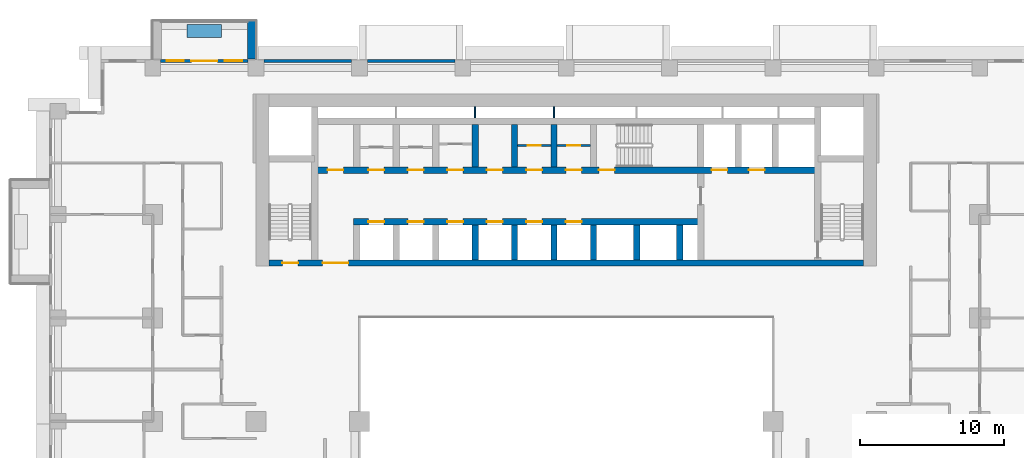
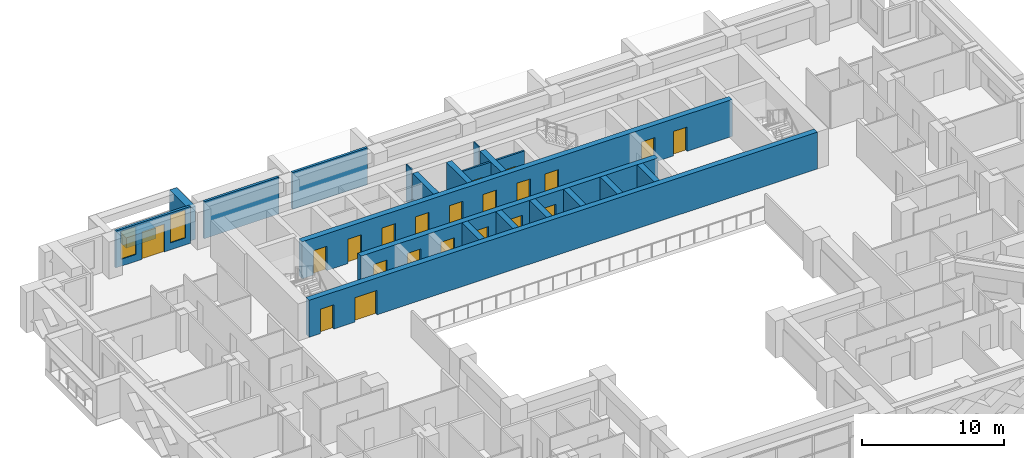
# One storey, part 10 of 17: 21 doors, 21 walls, 2 windows, 23 openings.
"""IFC4 building model written with IfcOpenShell, lengths in metres."""

from ifc_helpers import new_model, si_unit, direction, frame, frame_2d, origin, place, context, subcontext, project, spatial, rectangle, extrude, material, layer, layer_set, type_object, element, fill, save


model = new_model("IFC4")

# Units and contexts
model_context = context("Model", 3, precision=1e-05, world=origin(), true_north=direction((0.0, 1.0)))
body_context = subcontext(model_context, "Body", "Model", "MODEL_VIEW")
ifc_project = project(units=[si_unit("LENGTHUNIT", "METRE"), si_unit("AREAUNIT", "SQUARE_METRE"), si_unit("VOLUMEUNIT", "CUBIC_METRE"), si_unit("PLANEANGLEUNIT", "RADIAN"), si_unit("MASSUNIT", "GRAM", prefix="KILO")], contexts=[model_context])

# Site, building, storey
site_placement = place(None, origin())
site = spatial("IfcSite", under=ifc_project, at=site_placement, CompositionType="ELEMENT")
building_placement = place(site_placement, origin())
building = spatial("IfcBuilding", under=site, at=building_placement, Name="Saffron Iwan Residences", CompositionType="ELEMENT")
storey_placement = place(building_placement, frame((0.0, 0.0, 55.0)))
storey = spatial("IfcBuildingStorey", under=building, at=storey_placement, Name="L13", CompositionType="ELEMENT", Elevation=55.0)

# Walls
ifc_material_1 = material(Name="Concrete C50/60 white painted", Category="concrete")
ifc_layer_1 = layer(ifc_material_1, 0.60009765625)
ifc_layer_set_1 = layer_set([ifc_layer_1], Name="Concrete C50/60 white painted")
wall_type_1 = type_object("IfcWallType", Name="BALCONY FIN 600", PredefinedType="SOLIDWALL", material=ifc_layer_set_1)
wall_1_placement = place(storey_placement, frame((28.5, 80.449951171875, 0.0), z_axis=(0.0, 0.0, 1.0), x_axis=(0.0, 1.0, 0.0)))
element("IfcWall", 1, at=wall_1_placement, inside=storey, type_object=wall_type_1, Name="Balcony fin L13 F5-3a", PredefinedType="SOLIDWALL", context=body_context, shape_type="SweptSolid", body=[
    extrude(rectangle(XDim=2.650146484375, YDim=0.60009765625, at=frame_2d((1.3251953125, 0.0))), origin(), (0.0, 0.0, 1.0), 2.85009765625),
])
ifc_material_2 = material(Name="Concrete C35/45 white painted", Category="concrete")
ifc_layer_2 = layer(ifc_material_2, 0.14990234375)
ifc_layer_set_2 = layer_set([ifc_layer_2], Name="Concrete C35/45 white painted")
wall_type_2 = type_object("IfcWallType", Name="BALCONY PLANTER", PredefinedType="SOLIDWALL", material=ifc_layer_set_2)
wall_2_placement = place(storey_placement, frame((26.39990234375, 82.375, 0.0), z_axis=(0.0, 0.0, 1.0), x_axis=(-1.0, 0.0, 0.0)))
element("IfcWall", 2, at=wall_2_placement, inside=storey, type_object=wall_type_2, Name="PLANTER L13 F5-3", PredefinedType="SOLIDWALL", context=body_context, shape_type="SweptSolid", body=[
    extrude(rectangle(XDim=2.39990234375, YDim=0.89990234375, at=frame_2d((1.199951171875, 0.0))), origin(), (0.0, 0.0, 1.0), 0.89990234375),
])

# Wall, opening, door
ifc_material_3 = material(Name="Fire-rated plasterboard partition")
ifc_layer_3 = layer(ifc_material_3, 0.14990234375)
ifc_layer_set_3 = layer_set([ifc_layer_3], Name="Fire-rated plasterboard partition")
wall_type_3 = type_object("IfcWallType", Name="Core partition 150", PredefinedType="PARTITIONING", material=ifc_layer_set_3)
wall_3_placement = place(storey_placement, frame((47.02490234375, 74.39990234375, 0.0), z_axis=(0.0, 0.0, 1.0), x_axis=(1.0, 0.0, 0.0)))
wall_3 = element("IfcWall", 3, at=wall_3_placement, inside=storey, type_object=wall_type_3, Name="Core partition P04", PredefinedType="PARTITIONING", context=body_context, shape_type="SweptSolid", body=[
    extrude(rectangle(XDim=2.300048828125, YDim=0.14990234375, at=frame_2d((1.14990234375, 0.0))), origin(), (0.0, 0.0, 1.0), 3.179931640625),
])
opening_1_placement = place(wall_3_placement, frame((0.699951171875, 0.0, 0.0)))
opening_1 = element("IfcOpeningElement", 4, at=opening_1_placement, cuts=wall_3, Name="Opening SB", PredefinedType="OPENING", context=body_context, shape_type="SweptSolid", body=[
    extrude(rectangle(XDim=0.89990234375, YDim=2.10009765625, at=frame_2d((0.449951171875, 1.050048828125))), frame((0.0, 0.0849609375, 0.0), z_axis=(0.0, -1.0, 0.0), x_axis=(1.0, 0.0, 0.0)), (0.0, 0.0, 1.0), 0.169921875),
])
ifc_material_4 = material(Name="Steel fire door", Category="steel")
door_type_1 = type_object("IfcDoorType", Name="Store door 900", OperationType="NOTDEFINED", PredefinedType="DOOR", material=ifc_material_4)
door_1_placement = place(opening_1_placement, origin())
door_1 = element("IfcDoor", 5, at=door_1_placement, inside=storey, type_object=door_type_1, Name="Door Spares store", OperationType="SINGLE_SWING_LEFT", OverallHeight=2.10009765625, OverallWidth=0.89990234375, PredefinedType="DOOR", context=body_context, shape_type="SweptSolid", body=[
    extrude(rectangle(XDim=0.89990234375, YDim=2.10009765625, at=frame_2d((0.449951171875, 1.050048828125))), frame((0.0, 0.02490234375, 0.0), z_axis=(0.0, -1.0, 0.0), x_axis=(1.0, 0.0, 0.0)), (0.0, 0.0, 1.0), 0.050048828125),
])
fill(opening_1, door_1)

wall_4_placement = place(storey_placement, frame((49.77490234375, 74.39990234375, 0.0), z_axis=(0.0, 0.0, 1.0), x_axis=(1.0, 0.0, 0.0)))
wall_4 = element("IfcWall", 6, at=wall_4_placement, inside=storey, type_object=wall_type_3, Name="Core partition P05", PredefinedType="PARTITIONING", context=body_context, shape_type="SweptSolid", body=[
    extrude(rectangle(XDim=2.300048828125, YDim=0.14990234375, at=frame_2d((1.14990234375, 0.0))), origin(), (0.0, 0.0, 1.0), 3.179931640625),
])
opening_2_placement = place(wall_4_placement, frame((0.699951171875, 0.0, 0.0)))
opening_2 = element("IfcOpeningElement", 7, at=opening_2_placement, cuts=wall_4, Name="Opening SB", PredefinedType="OPENING", context=body_context, shape_type="SweptSolid", body=[
    extrude(rectangle(XDim=0.89990234375, YDim=2.10009765625, at=frame_2d((0.449951171875, 1.050048828125))), frame((0.0, 0.0849609375, 0.0), z_axis=(0.0, -1.0, 0.0), x_axis=(1.0, 0.0, 0.0)), (0.0, 0.0, 1.0), 0.169921875),
])
door_2_placement = place(opening_2_placement, origin())
door_2 = element("IfcDoor", 8, at=door_2_placement, inside=storey, type_object=door_type_1, Name="Door Battery room", OperationType="SINGLE_SWING_RIGHT", OverallHeight=2.10009765625, OverallWidth=0.89990234375, PredefinedType="DOOR", context=body_context, shape_type="SweptSolid", body=[
    extrude(rectangle(XDim=0.89990234375, YDim=2.10009765625, at=frame_2d((0.449951171875, 1.050048828125))), frame((0.0, 0.02490234375, 0.0), z_axis=(0.0, -1.0, 0.0), x_axis=(1.0, 0.0, 0.0)), (0.0, 0.0, 1.0), 0.050048828125),
])
fill(opening_2, door_2)

# Walls
ifc_material_5 = material(Name="Concrete C40/50", Category="concrete")
ifc_layer_4 = layer(ifc_material_5, 0.199951171875)
ifc_layer_set_4 = layer_set([ifc_layer_4], Name="Concrete C40/50")
wall_type_4 = type_object("IfcWallType", Name="EXTERNAL WALL 200", PredefinedType="SOLIDWALL", material=ifc_layer_set_4)
for number, where, z_axis, x_axis, name in (
    (9, (42.64990234375, 80.300048828125, 0.0), (0.0, 0.0, 1.0), (-1.0, 0.0, 0.0), "External wall L13 F5.6"),
    (10, (35.449951171875, 80.300048828125, 0.0), (0.0, 0.0, 1.0), (-1.0, 0.0, 0.0), "External wall L13 F5.7"),
):
    element("IfcWall", number, at=place(storey_placement, frame(where, z_axis=z_axis, x_axis=x_axis)), inside=storey, type_object=wall_type_4, Name=name, PredefinedType="SOLIDWALL", context=body_context, shape_type="SweptSolid", body=[
        extrude(rectangle(XDim=6.099853515625, YDim=0.199951171875, at=frame_2d((3.0498046875, 0.0))), origin(), (0.0, 0.0, 1.0), 3.179931640625),
    ])

# Wall, openings, door, windows
wall_5_placement = place(storey_placement, frame((28.25, 80.300048828125, 0.0), z_axis=(0.0, 0.0, 1.0), x_axis=(-1.0, 0.0, 0.0)))
wall_5 = element("IfcWall", 11, at=wall_5_placement, inside=storey, type_object=wall_type_4, Name="External wall L13 F5.8", PredefinedType="SOLIDWALL", context=body_context, shape_type="SweptSolid", body=[
    extrude(rectangle(XDim=6.10009765625, YDim=0.199951171875, at=frame_2d((3.050048828125, 0.0))), origin(), (0.0, 0.0, 1.0), 3.179931640625),
])
opening_3_placement = place(wall_5_placement, frame((2.14990234375, 0.0, 0.0)))
opening_3 = element("IfcOpeningElement", 12, at=opening_3_placement, cuts=wall_5, Name="Opening BD1", PredefinedType="OPENING", context=body_context, shape_type="SweptSolid", body=[
    extrude(rectangle(XDim=1.800048828125, YDim=2.39990234375, at=frame_2d((0.89990234375, 1.199951171875))), frame((0.0, 0.10986328125, 0.0), z_axis=(0.0, -1.0, 0.0), x_axis=(1.0, 0.0, 0.0)), (0.0, 0.0, 1.0), 0.219970703125),
])
opening_4_placement = place(wall_5_placement, frame((0.425048828125, 0.0, 0.60009765625)))
opening_4 = element("IfcOpeningElement", 13, at=opening_4_placement, cuts=wall_5, Name="Opening W3", PredefinedType="OPENING", context=body_context, shape_type="SweptSolid", body=[
    extrude(rectangle(XDim=1.199951171875, YDim=2.39990234375, at=frame_2d((0.60009765625, 1.199951171875))), frame((0.0, 0.10986328125, 0.0), z_axis=(0.0, -1.0, 0.0), x_axis=(1.0, 0.0, 0.0)), (0.0, 0.0, 1.0), 0.219970703125),
])
opening_5_placement = place(wall_5_placement, frame((4.47509765625, 0.0, 0.60009765625)))
opening_5 = element("IfcOpeningElement", 14, at=opening_5_placement, cuts=wall_5, Name="Opening W3", PredefinedType="OPENING", context=body_context, shape_type="SweptSolid", body=[
    extrude(rectangle(XDim=1.199951171875, YDim=2.39990234375, at=frame_2d((0.60009765625, 1.199951171875))), frame((0.0, 0.10986328125, 0.0), z_axis=(0.0, -1.0, 0.0), x_axis=(1.0, 0.0, 0.0)), (0.0, 0.0, 1.0), 0.219970703125),
])
ifc_material_6 = material(Name="Clear glass, laminated double glazed", Category="glass")
door_type_2 = type_object("IfcDoorType", Name="BALCONY DOOR 1800 x 2400", OperationType="DOUBLE_DOOR_SLIDING", PredefinedType="DOOR", material=ifc_material_6)
door_3_placement = place(opening_3_placement, origin())
door_3 = element("IfcDoor", 15, at=door_3_placement, inside=storey, type_object=door_type_2, Name="Balcony door L13 F5.0", OperationType="DOUBLE_DOOR_SLIDING", OverallHeight=2.39990234375, OverallWidth=1.800048828125, PredefinedType="DOOR", context=body_context, shape_type="SweptSolid", body=[
    extrude(rectangle(XDim=1.800048828125, YDim=2.39990234375, at=frame_2d((0.89990234375, 1.199951171875))), frame((0.0, 0.02490234375, 0.0), z_axis=(0.0, -1.0, 0.0), x_axis=(1.0, 0.0, 0.0)), (0.0, 0.0, 1.0), 0.050048828125),
])
fill(opening_3, door_3)
window_type = type_object("IfcWindowType", Name="WINDOW 1200 x 2400", PartitioningType="SINGLE_PANEL", PredefinedType="WINDOW", material=ifc_material_6)
window_1_placement = place(opening_4_placement, origin())
window_1 = element("IfcWindow", 16, at=window_1_placement, inside=storey, type_object=window_type, Name="Window L13 F5.1", OverallHeight=2.39990234375, OverallWidth=1.199951171875, PartitioningType="SINGLE_PANEL", PredefinedType="WINDOW", context=body_context, shape_type="SweptSolid", body=[
    extrude(rectangle(XDim=1.199951171875, YDim=2.39990234375, at=frame_2d((0.60009765625, 1.199951171875))), frame((0.0, 0.030029296875, 0.0), z_axis=(0.0, -1.0, 0.0), x_axis=(1.0, 0.0, 0.0)), (0.0, 0.0, 1.0), 0.06005859375),
])
fill(opening_4, window_1)
window_2_placement = place(opening_5_placement, origin())
window_2 = element("IfcWindow", 17, at=window_2_placement, inside=storey, type_object=window_type, Name="Window L13 F5.2", OverallHeight=2.39990234375, OverallWidth=1.199951171875, PartitioningType="SINGLE_PANEL", PredefinedType="WINDOW", context=body_context, shape_type="SweptSolid", body=[
    extrude(rectangle(XDim=1.199951171875, YDim=2.39990234375, at=frame_2d((0.60009765625, 1.199951171875))), frame((0.0, 0.030029296875, 0.0), z_axis=(0.0, -1.0, 0.0), x_axis=(1.0, 0.0, 0.0)), (0.0, 0.0, 1.0), 0.06005859375),
])
fill(opening_5, window_2)

# Walls
ifc_layer_5 = layer(ifc_material_3, 0.10009765625)
ifc_layer_set_5 = layer_set([ifc_layer_5], Name="Fire-rated plasterboard partition")
wall_type_5 = type_object("IfcWallType", Name="Riser partition 100", PredefinedType="PARTITIONING", material=ifc_layer_set_5)
for number, where, z_axis, x_axis, name in (
    (18, (44.050048828125, 76.324951171875, 0.0), (0.0, 0.0, 1.0), (0.0, 1.0, 0.0), "Core partition P07"),
    (19, (49.550048828125, 76.324951171875, 0.0), (0.0, 0.0, 1.0), (0.0, 1.0, 0.0), "Core partition P08"),
):
    element("IfcWall", number, at=place(storey_placement, frame(where, z_axis=z_axis, x_axis=x_axis)), inside=storey, type_object=wall_type_5, Name=name, PredefinedType="PARTITIONING", context=body_context, shape_type="SweptSolid", body=[
        extrude(rectangle(XDim=0.775146484375, YDim=0.10009765625, at=frame_2d((0.3876953125, 0.0))), origin(), (0.0, 0.0, 1.0), 3.179931640625),
    ])

# Wall, openings, doors
ifc_material_7 = material(Name="Concrete C60/75", Category="concrete")
ifc_layer_6 = layer(ifc_material_7, 0.449951171875)
ifc_layer_set_6 = layer_set([ifc_layer_6], Name="Concrete C60/75")
wall_type_6 = type_object("IfcWallType", Name="WALL CORE 450 C60/75 3180 HIGH", PredefinedType="SHEAR", material=ifc_layer_set_6)
wall_6_placement = place(storey_placement, frame((29.699951171875, 66.22509765625, 0.0), z_axis=(0.0, 0.0, 1.0), x_axis=(1.0, 0.0, 0.0)))
wall_6 = element("IfcWall", 20, at=wall_6_placement, inside=storey, type_object=wall_type_6, Name="Core wall", PredefinedType="SHEAR", context=body_context, shape_type="SweptSolid", body=[
    extrude(rectangle(XDim=41.400146484375, YDim=0.449951171875, at=frame_2d((20.7001953125, 0.0))), origin(), (0.0, 0.0, 1.0), 3.179931640625),
])
opening_6_placement = place(wall_6_placement, frame((0.925048828125, 0.0, 0.0)))
opening_6 = element("IfcOpeningElement", 21, at=opening_6_placement, cuts=wall_6, Name="Opening SD", PredefinedType="OPENING", context=body_context, shape_type="SweptSolid", body=[
    extrude(rectangle(XDim=1.10009765625, YDim=2.10009765625, at=frame_2d((0.550048828125, 1.050048828125))), frame((0.0, 0.23486328125, 0.0), z_axis=(0.0, -1.0, 0.0), x_axis=(1.0, 0.0, 0.0)), (0.0, 0.0, 1.0), 0.469970703125),
])
opening_7_placement = place(wall_6_placement, frame((3.737548828125, 0.0, 0.0)))
opening_7 = element("IfcOpeningElement", 22, at=opening_7_placement, cuts=wall_6, Name="Opening DD", PredefinedType="OPENING", context=body_context, shape_type="SweptSolid", body=[
    extrude(rectangle(XDim=1.800048828125, YDim=2.10009765625, at=frame_2d((0.89990234375, 1.050048828125))), frame((0.0, 0.23486328125, 0.0), z_axis=(0.0, -1.0, 0.0), x_axis=(1.0, 0.0, 0.0)), (0.0, 0.0, 1.0), 0.469970703125),
])
door_type_3 = type_object("IfcDoorType", Name="Lobby double door 1800", OperationType="DOUBLE_DOOR_SINGLE_SWING", PredefinedType="DOOR", material=ifc_material_4)
door_4_placement = place(opening_7_placement, origin())
door_4 = element("IfcDoor", 23, at=door_4_placement, inside=storey, type_object=door_type_3, Name="Lobby doors", OperationType="DOUBLE_DOOR_SINGLE_SWING", OverallHeight=2.10009765625, OverallWidth=1.800048828125, PredefinedType="DOOR", context=body_context, shape_type="SweptSolid", body=[
    extrude(rectangle(XDim=1.800048828125, YDim=2.10009765625, at=frame_2d((0.89990234375, 1.050048828125))), frame((0.0, 0.02490234375, 0.0), z_axis=(0.0, -1.0, 0.0), x_axis=(1.0, 0.0, 0.0)), (0.0, 0.0, 1.0), 0.050048828125),
])
fill(opening_7, door_4)
door_type_4 = type_object("IfcDoorType", Name="Stair door 1100", OperationType="NOTDEFINED", PredefinedType="DOOR", material=ifc_material_4)
door_5_placement = place(opening_6_placement, origin())
door_5 = element("IfcDoor", 24, at=door_5_placement, inside=storey, type_object=door_type_4, Name="Stair door ST-W", OperationType="SINGLE_SWING_LEFT", OverallHeight=2.10009765625, OverallWidth=1.10009765625, PredefinedType="DOOR", context=body_context, shape_type="SweptSolid", body=[
    extrude(rectangle(XDim=1.10009765625, YDim=2.10009765625, at=frame_2d((0.550048828125, 1.050048828125))), frame((0.0, 0.02490234375, 0.0), z_axis=(0.0, -1.0, 0.0), x_axis=(1.0, 0.0, 0.0)), (0.0, 0.0, 1.0), 0.050048828125),
])
fill(opening_6, door_5)

wall_7_placement = place(storey_placement, frame((35.574951171875, 69.10009765625, 0.0), z_axis=(0.0, 0.0, 1.0), x_axis=(1.0, 0.0, 0.0)))
wall_7 = element("IfcWall", 25, at=wall_7_placement, inside=storey, type_object=wall_type_6, Name="Core wall", PredefinedType="SHEAR", context=body_context, shape_type="SweptSolid", body=[
    extrude(rectangle(XDim=24.199951171875, YDim=0.449951171875, at=frame_2d((12.10009765625, 0.0))), origin(), (0.0, 0.0, 1.0), 3.179931640625),
])
opening_8_placement = place(wall_7_placement, frame((1.050048828125, 0.0, 0.0)))
opening_8 = element("IfcOpeningElement", 26, at=opening_8_placement, cuts=wall_7, Name="Opening LD", PredefinedType="OPENING", context=body_context, shape_type="SweptSolid", body=[
    extrude(rectangle(XDim=1.10009765625, YDim=2.10009765625, at=frame_2d((0.550048828125, 1.050048828125))), frame((0.0, 0.23486328125, 0.0), z_axis=(0.0, -1.0, 0.0), x_axis=(1.0, 0.0, 0.0)), (0.0, 0.0, 1.0), 0.469970703125),
])
opening_9_placement = place(wall_7_placement, frame((3.800048828125, 0.0, 0.0)))
opening_9 = element("IfcOpeningElement", 27, at=opening_9_placement, cuts=wall_7, Name="Opening LD", PredefinedType="OPENING", context=body_context, shape_type="SweptSolid", body=[
    extrude(rectangle(XDim=1.10009765625, YDim=2.10009765625, at=frame_2d((0.550048828125, 1.050048828125))), frame((0.0, 0.23486328125, 0.0), z_axis=(0.0, -1.0, 0.0), x_axis=(1.0, 0.0, 0.0)), (0.0, 0.0, 1.0), 0.469970703125),
])
opening_10_placement = place(wall_7_placement, frame((6.550048828125, 0.0, 0.0)))
opening_10 = element("IfcOpeningElement", 28, at=opening_10_placement, cuts=wall_7, Name="Opening LD", PredefinedType="OPENING", context=body_context, shape_type="SweptSolid", body=[
    extrude(rectangle(XDim=1.10009765625, YDim=2.10009765625, at=frame_2d((0.550048828125, 1.050048828125))), frame((0.0, 0.23486328125, 0.0), z_axis=(0.0, -1.0, 0.0), x_axis=(1.0, 0.0, 0.0)), (0.0, 0.0, 1.0), 0.469970703125),
])
opening_11_placement = place(wall_7_placement, frame((9.300048828125, 0.0, 0.0)))
opening_11 = element("IfcOpeningElement", 29, at=opening_11_placement, cuts=wall_7, Name="Opening LD", PredefinedType="OPENING", context=body_context, shape_type="SweptSolid", body=[
    extrude(rectangle(XDim=1.10009765625, YDim=2.10009765625, at=frame_2d((0.550048828125, 1.050048828125))), frame((0.0, 0.23486328125, 0.0), z_axis=(0.0, -1.0, 0.0), x_axis=(1.0, 0.0, 0.0)), (0.0, 0.0, 1.0), 0.469970703125),
])
opening_12_placement = place(wall_7_placement, frame((12.050048828125, 0.0, 0.0)))
opening_12 = element("IfcOpeningElement", 30, at=opening_12_placement, cuts=wall_7, Name="Opening LD", PredefinedType="OPENING", context=body_context, shape_type="SweptSolid", body=[
    extrude(rectangle(XDim=1.10009765625, YDim=2.10009765625, at=frame_2d((0.550048828125, 1.050048828125))), frame((0.0, 0.23486328125, 0.0), z_axis=(0.0, -1.0, 0.0), x_axis=(1.0, 0.0, 0.0)), (0.0, 0.0, 1.0), 0.469970703125),
])
opening_13_placement = place(wall_7_placement, frame((14.800048828125, 0.0, 0.0)))
opening_13 = element("IfcOpeningElement", 31, at=opening_13_placement, cuts=wall_7, Name="Opening LD", PredefinedType="OPENING", context=body_context, shape_type="SweptSolid", body=[
    extrude(rectangle(XDim=1.10009765625, YDim=2.10009765625, at=frame_2d((0.550048828125, 1.050048828125))), frame((0.0, 0.23486328125, 0.0), z_axis=(0.0, -1.0, 0.0), x_axis=(1.0, 0.0, 0.0)), (0.0, 0.0, 1.0), 0.469970703125),
])
door_type_5 = type_object("IfcDoorType", Name="Lift landing door 1100", OperationType="SLIDING_TO_LEFT", PredefinedType="DOOR", material=ifc_material_4)
door_6_placement = place(opening_8_placement, origin())
door_6 = element("IfcDoor", 32, at=door_6_placement, inside=storey, type_object=door_type_5, Name="Landing doors LR1", OperationType="SLIDING_TO_LEFT", OverallHeight=2.10009765625, OverallWidth=1.10009765625, PredefinedType="DOOR", context=body_context, shape_type="SweptSolid", body=[
    extrude(rectangle(XDim=1.10009765625, YDim=2.10009765625, at=frame_2d((0.550048828125, 1.050048828125))), frame((0.0, 0.02490234375, 0.0), z_axis=(0.0, -1.0, 0.0), x_axis=(1.0, 0.0, 0.0)), (0.0, 0.0, 1.0), 0.050048828125),
])
fill(opening_8, door_6)
door_7_placement = place(opening_9_placement, origin())
door_7 = element("IfcDoor", 33, at=door_7_placement, inside=storey, type_object=door_type_5, Name="Landing doors LR2", OperationType="SLIDING_TO_LEFT", OverallHeight=2.10009765625, OverallWidth=1.10009765625, PredefinedType="DOOR", context=body_context, shape_type="SweptSolid", body=[
    extrude(rectangle(XDim=1.10009765625, YDim=2.10009765625, at=frame_2d((0.550048828125, 1.050048828125))), frame((0.0, 0.02490234375, 0.0), z_axis=(0.0, -1.0, 0.0), x_axis=(1.0, 0.0, 0.0)), (0.0, 0.0, 1.0), 0.050048828125),
])
fill(opening_9, door_7)
door_8_placement = place(opening_10_placement, origin())
door_8 = element("IfcDoor", 34, at=door_8_placement, inside=storey, type_object=door_type_5, Name="Landing doors LR3", OperationType="SLIDING_TO_LEFT", OverallHeight=2.10009765625, OverallWidth=1.10009765625, PredefinedType="DOOR", context=body_context, shape_type="SweptSolid", body=[
    extrude(rectangle(XDim=1.10009765625, YDim=2.10009765625, at=frame_2d((0.550048828125, 1.050048828125))), frame((0.0, 0.02490234375, 0.0), z_axis=(0.0, -1.0, 0.0), x_axis=(1.0, 0.0, 0.0)), (0.0, 0.0, 1.0), 0.050048828125),
])
fill(opening_10, door_8)
door_9_placement = place(opening_11_placement, origin())
door_9 = element("IfcDoor", 35, at=door_9_placement, inside=storey, type_object=door_type_5, Name="Landing doors LR4", OperationType="SLIDING_TO_LEFT", OverallHeight=2.10009765625, OverallWidth=1.10009765625, PredefinedType="DOOR", context=body_context, shape_type="SweptSolid", body=[
    extrude(rectangle(XDim=1.10009765625, YDim=2.10009765625, at=frame_2d((0.550048828125, 1.050048828125))), frame((0.0, 0.02490234375, 0.0), z_axis=(0.0, -1.0, 0.0), x_axis=(1.0, 0.0, 0.0)), (0.0, 0.0, 1.0), 0.050048828125),
])
fill(opening_11, door_9)
door_10_placement = place(opening_12_placement, origin())
door_10 = element("IfcDoor", 36, at=door_10_placement, inside=storey, type_object=door_type_5, Name="Landing doors LR5", OperationType="SLIDING_TO_LEFT", OverallHeight=2.10009765625, OverallWidth=1.10009765625, PredefinedType="DOOR", context=body_context, shape_type="SweptSolid", body=[
    extrude(rectangle(XDim=1.10009765625, YDim=2.10009765625, at=frame_2d((0.550048828125, 1.050048828125))), frame((0.0, 0.02490234375, 0.0), z_axis=(0.0, -1.0, 0.0), x_axis=(1.0, 0.0, 0.0)), (0.0, 0.0, 1.0), 0.050048828125),
])
fill(opening_12, door_10)
door_11_placement = place(opening_13_placement, origin())
door_11 = element("IfcDoor", 37, at=door_11_placement, inside=storey, type_object=door_type_5, Name="Landing doors LR6", OperationType="SLIDING_TO_LEFT", OverallHeight=2.10009765625, OverallWidth=1.10009765625, PredefinedType="DOOR", context=body_context, shape_type="SweptSolid", body=[
    extrude(rectangle(XDim=1.10009765625, YDim=2.10009765625, at=frame_2d((0.550048828125, 1.050048828125))), frame((0.0, 0.02490234375, 0.0), z_axis=(0.0, -1.0, 0.0), x_axis=(1.0, 0.0, 0.0)), (0.0, 0.0, 1.0), 0.050048828125),
])
fill(opening_13, door_11)

wall_8_placement = place(storey_placement, frame((32.875, 72.699951171875, 0.0), z_axis=(0.0, 0.0, 1.0), x_axis=(1.0, 0.0, 0.0)))
wall_8 = element("IfcWall", 38, at=wall_8_placement, inside=storey, type_object=wall_type_6, Name="Core wall", PredefinedType="SHEAR", context=body_context, shape_type="SweptSolid", body=[
    extrude(rectangle(XDim=35.050048828125, YDim=0.449951171875, at=frame_2d((17.52490234375, 0.0))), origin(), (0.0, 0.0, 1.0), 3.179931640625),
])
opening_14_placement = place(wall_8_placement, frame((19.800048828125, 0.0, 0.0)))
opening_14 = element("IfcOpeningElement", 39, at=opening_14_placement, cuts=wall_8, Name="Opening SD", PredefinedType="OPENING", context=body_context, shape_type="SweptSolid", body=[
    extrude(rectangle(XDim=1.10009765625, YDim=2.10009765625, at=frame_2d((0.550048828125, 1.050048828125))), frame((0.0, 0.23486328125, 0.0), z_axis=(0.0, -1.0, 0.0), x_axis=(1.0, 0.0, 0.0)), (0.0, 0.0, 1.0), 0.469970703125),
])
opening_15_placement = place(wall_8_placement, frame((27.64990234375, 0.0, 0.0)))
opening_15 = element("IfcOpeningElement", 40, at=opening_15_placement, cuts=wall_8, Name="Opening LD", PredefinedType="OPENING", context=body_context, shape_type="SweptSolid", body=[
    extrude(rectangle(XDim=1.10009765625, YDim=2.10009765625, at=frame_2d((0.550048828125, 1.050048828125))), frame((0.0, 0.23486328125, 0.0), z_axis=(0.0, -1.0, 0.0), x_axis=(1.0, 0.0, 0.0)), (0.0, 0.0, 1.0), 0.469970703125),
])
opening_16_placement = place(wall_8_placement, frame((30.25, 0.0, 0.0)))
opening_16 = element("IfcOpeningElement", 41, at=opening_16_placement, cuts=wall_8, Name="Opening LD", PredefinedType="OPENING", context=body_context, shape_type="SweptSolid", body=[
    extrude(rectangle(XDim=1.10009765625, YDim=2.10009765625, at=frame_2d((0.550048828125, 1.050048828125))), frame((0.0, 0.23486328125, 0.0), z_axis=(0.0, -1.0, 0.0), x_axis=(1.0, 0.0, 0.0)), (0.0, 0.0, 1.0), 0.469970703125),
])
opening_17_placement = place(wall_8_placement, frame((3.75, 0.0, 0.0)))
opening_17 = element("IfcOpeningElement", 42, at=opening_17_placement, cuts=wall_8, Name="Opening SR", PredefinedType="OPENING", context=body_context, shape_type="SweptSolid", body=[
    extrude(rectangle(XDim=1.10009765625, YDim=2.10009765625, at=frame_2d((0.550048828125, 1.050048828125))), frame((0.0, 0.23486328125, 0.0), z_axis=(0.0, -1.0, 0.0), x_axis=(1.0, 0.0, 0.0)), (0.0, 0.0, 1.0), 0.469970703125),
])
opening_18_placement = place(wall_8_placement, frame((6.5, 0.0, 0.0)))
opening_18 = element("IfcOpeningElement", 43, at=opening_18_placement, cuts=wall_8, Name="Opening SR", PredefinedType="OPENING", context=body_context, shape_type="SweptSolid", body=[
    extrude(rectangle(XDim=1.10009765625, YDim=2.10009765625, at=frame_2d((0.550048828125, 1.050048828125))), frame((0.0, 0.23486328125, 0.0), z_axis=(0.0, -1.0, 0.0), x_axis=(1.0, 0.0, 0.0)), (0.0, 0.0, 1.0), 0.469970703125),
])
opening_19_placement = place(wall_8_placement, frame((9.25, 0.0, 0.0)))
opening_19 = element("IfcOpeningElement", 44, at=opening_19_placement, cuts=wall_8, Name="Opening SR", PredefinedType="OPENING", context=body_context, shape_type="SweptSolid", body=[
    extrude(rectangle(XDim=1.10009765625, YDim=2.10009765625, at=frame_2d((0.550048828125, 1.050048828125))), frame((0.0, 0.23486328125, 0.0), z_axis=(0.0, -1.0, 0.0), x_axis=(1.0, 0.0, 0.0)), (0.0, 0.0, 1.0), 0.469970703125),
])
opening_20_placement = place(wall_8_placement, frame((12.0, 0.0, 0.0)))
opening_20 = element("IfcOpeningElement", 45, at=opening_20_placement, cuts=wall_8, Name="Opening SR", PredefinedType="OPENING", context=body_context, shape_type="SweptSolid", body=[
    extrude(rectangle(XDim=1.10009765625, YDim=2.10009765625, at=frame_2d((0.550048828125, 1.050048828125))), frame((0.0, 0.23486328125, 0.0), z_axis=(0.0, -1.0, 0.0), x_axis=(1.0, 0.0, 0.0)), (0.0, 0.0, 1.0), 0.469970703125),
])
opening_21_placement = place(wall_8_placement, frame((14.75, 0.0, 0.0)))
opening_21 = element("IfcOpeningElement", 46, at=opening_21_placement, cuts=wall_8, Name="Opening SR", PredefinedType="OPENING", context=body_context, shape_type="SweptSolid", body=[
    extrude(rectangle(XDim=1.10009765625, YDim=2.10009765625, at=frame_2d((0.550048828125, 1.050048828125))), frame((0.0, 0.23486328125, 0.0), z_axis=(0.0, -1.0, 0.0), x_axis=(1.0, 0.0, 0.0)), (0.0, 0.0, 1.0), 0.469970703125),
])
opening_22_placement = place(wall_8_placement, frame((17.5, 0.0, 0.0)))
opening_22 = element("IfcOpeningElement", 47, at=opening_22_placement, cuts=wall_8, Name="Opening SR", PredefinedType="OPENING", context=body_context, shape_type="SweptSolid", body=[
    extrude(rectangle(XDim=1.10009765625, YDim=2.10009765625, at=frame_2d((0.550048828125, 1.050048828125))), frame((0.0, 0.23486328125, 0.0), z_axis=(0.0, -1.0, 0.0), x_axis=(1.0, 0.0, 0.0)), (0.0, 0.0, 1.0), 0.469970703125),
])
opening_23_placement = place(wall_8_placement, frame((0.91259765625, 0.0, 0.0)))
opening_23 = element("IfcOpeningElement", 48, at=opening_23_placement, cuts=wall_8, Name="Opening SR", PredefinedType="OPENING", context=body_context, shape_type="SweptSolid", body=[
    extrude(rectangle(XDim=1.10009765625, YDim=2.10009765625, at=frame_2d((0.550048828125, 1.050048828125))), frame((0.0, 0.23486328125, 0.0), z_axis=(0.0, -1.0, 0.0), x_axis=(1.0, 0.0, 0.0)), (0.0, 0.0, 1.0), 0.469970703125),
])
door_12_placement = place(opening_15_placement, origin())
door_12 = element("IfcDoor", 49, at=door_12_placement, inside=storey, type_object=door_type_5, Name="Landing doors FF1", OperationType="SLIDING_TO_LEFT", OverallHeight=2.10009765625, OverallWidth=1.10009765625, PredefinedType="DOOR", context=body_context, shape_type="SweptSolid", body=[
    extrude(rectangle(XDim=1.10009765625, YDim=2.10009765625, at=frame_2d((0.550048828125, 1.050048828125))), frame((0.0, 0.02490234375, 0.0), z_axis=(0.0, -1.0, 0.0), x_axis=(1.0, 0.0, 0.0)), (0.0, 0.0, 1.0), 0.050048828125),
])
fill(opening_15, door_12)
door_13_placement = place(opening_16_placement, origin())
door_13 = element("IfcDoor", 50, at=door_13_placement, inside=storey, type_object=door_type_5, Name="Landing doors FF2", OperationType="SLIDING_TO_LEFT", OverallHeight=2.10009765625, OverallWidth=1.10009765625, PredefinedType="DOOR", context=body_context, shape_type="SweptSolid", body=[
    extrude(rectangle(XDim=1.10009765625, YDim=2.10009765625, at=frame_2d((0.550048828125, 1.050048828125))), frame((0.0, 0.02490234375, 0.0), z_axis=(0.0, -1.0, 0.0), x_axis=(1.0, 0.0, 0.0)), (0.0, 0.0, 1.0), 0.050048828125),
])
fill(opening_16, door_13)
door_type_6 = type_object("IfcDoorType", Name="Service door 1100", OperationType="NOTDEFINED", PredefinedType="DOOR", material=ifc_material_4)
door_14_placement = place(opening_17_placement, origin())
door_14 = element("IfcDoor", 51, at=door_14_placement, inside=storey, type_object=door_type_6, Name="Door Maintenance store", OperationType="SINGLE_SWING_LEFT", OverallHeight=2.10009765625, OverallWidth=1.10009765625, PredefinedType="DOOR", context=body_context, shape_type="SweptSolid", body=[
    extrude(rectangle(XDim=1.10009765625, YDim=2.10009765625, at=frame_2d((0.550048828125, 1.050048828125))), frame((0.0, 0.02490234375, 0.0), z_axis=(0.0, -1.0, 0.0), x_axis=(1.0, 0.0, 0.0)), (0.0, 0.0, 1.0), 0.050048828125),
])
fill(opening_17, door_14)
door_15_placement = place(opening_18_placement, origin())
door_15 = element("IfcDoor", 52, at=door_15_placement, inside=storey, type_object=door_type_6, Name="Door Linen store", OperationType="SINGLE_SWING_LEFT", OverallHeight=2.10009765625, OverallWidth=1.10009765625, PredefinedType="DOOR", context=body_context, shape_type="SweptSolid", body=[
    extrude(rectangle(XDim=1.10009765625, YDim=2.10009765625, at=frame_2d((0.550048828125, 1.050048828125))), frame((0.0, 0.02490234375, 0.0), z_axis=(0.0, -1.0, 0.0), x_axis=(1.0, 0.0, 0.0)), (0.0, 0.0, 1.0), 0.050048828125),
])
fill(opening_18, door_15)
door_16_placement = place(opening_19_placement, origin())
door_16 = element("IfcDoor", 53, at=door_16_placement, inside=storey, type_object=door_type_6, Name="Door Pantry", OperationType="SINGLE_SWING_LEFT", OverallHeight=2.10009765625, OverallWidth=1.10009765625, PredefinedType="DOOR", context=body_context, shape_type="SweptSolid", body=[
    extrude(rectangle(XDim=1.10009765625, YDim=2.10009765625, at=frame_2d((0.550048828125, 1.050048828125))), frame((0.0, 0.02490234375, 0.0), z_axis=(0.0, -1.0, 0.0), x_axis=(1.0, 0.0, 0.0)), (0.0, 0.0, 1.0), 0.050048828125),
])
fill(opening_19, door_16)
door_17_placement = place(opening_20_placement, origin())
door_17 = element("IfcDoor", 54, at=door_17_placement, inside=storey, type_object=door_type_6, Name="Door Electrical room", OperationType="SINGLE_SWING_LEFT", OverallHeight=2.10009765625, OverallWidth=1.10009765625, PredefinedType="DOOR", context=body_context, shape_type="SweptSolid", body=[
    extrude(rectangle(XDim=1.10009765625, YDim=2.10009765625, at=frame_2d((0.550048828125, 1.050048828125))), frame((0.0, 0.02490234375, 0.0), z_axis=(0.0, -1.0, 0.0), x_axis=(1.0, 0.0, 0.0)), (0.0, 0.0, 1.0), 0.050048828125),
])
fill(opening_20, door_17)
door_18_placement = place(opening_21_placement, origin())
door_18 = element("IfcDoor", 55, at=door_18_placement, inside=storey, type_object=door_type_6, Name="Door Luggage store", OperationType="SINGLE_SWING_LEFT", OverallHeight=2.10009765625, OverallWidth=1.10009765625, PredefinedType="DOOR", context=body_context, shape_type="SweptSolid", body=[
    extrude(rectangle(XDim=1.10009765625, YDim=2.10009765625, at=frame_2d((0.550048828125, 1.050048828125))), frame((0.0, 0.02490234375, 0.0), z_axis=(0.0, -1.0, 0.0), x_axis=(1.0, 0.0, 0.0)), (0.0, 0.0, 1.0), 0.050048828125),
])
fill(opening_21, door_18)
door_19_placement = place(opening_22_placement, origin())
door_19 = element("IfcDoor", 56, at=door_19_placement, inside=storey, type_object=door_type_6, Name="Door Refuse store", OperationType="SINGLE_SWING_LEFT", OverallHeight=2.10009765625, OverallWidth=1.10009765625, PredefinedType="DOOR", context=body_context, shape_type="SweptSolid", body=[
    extrude(rectangle(XDim=1.10009765625, YDim=2.10009765625, at=frame_2d((0.550048828125, 1.050048828125))), frame((0.0, 0.02490234375, 0.0), z_axis=(0.0, -1.0, 0.0), x_axis=(1.0, 0.0, 0.0)), (0.0, 0.0, 1.0), 0.050048828125),
])
fill(opening_22, door_19)
door_20_placement = place(opening_23_placement, origin())
door_20 = element("IfcDoor", 57, at=door_20_placement, inside=storey, type_object=door_type_6, Name="Door Caretaker's room", OperationType="SINGLE_SWING_LEFT", OverallHeight=2.10009765625, OverallWidth=1.10009765625, PredefinedType="DOOR", context=body_context, shape_type="SweptSolid", body=[
    extrude(rectangle(XDim=1.10009765625, YDim=2.10009765625, at=frame_2d((0.550048828125, 1.050048828125))), frame((0.0, 0.02490234375, 0.0), z_axis=(0.0, -1.0, 0.0), x_axis=(1.0, 0.0, 0.0)), (0.0, 0.0, 1.0), 0.050048828125),
])
fill(opening_23, door_20)
door_21_placement = place(opening_14_placement, origin())
door_21 = element("IfcDoor", 58, at=door_21_placement, inside=storey, type_object=door_type_4, Name="Stair door ST-C", OperationType="SINGLE_SWING_LEFT", OverallHeight=2.10009765625, OverallWidth=1.10009765625, PredefinedType="DOOR", context=body_context, shape_type="SweptSolid", body=[
    extrude(rectangle(XDim=1.10009765625, YDim=2.10009765625, at=frame_2d((0.550048828125, 1.050048828125))), frame((0.0, 0.02490234375, 0.0), z_axis=(0.0, -1.0, 0.0), x_axis=(1.0, 0.0, 0.0)), (0.0, 0.0, 1.0), 0.050048828125),
])
fill(opening_14, door_21)

# Walls
for number, where, z_axis, x_axis, name in (
    (59, (44.050048828125, 66.449951171875, 0.0), (0.0, 0.0, 1.0), (0.0, 1.0, 0.0), "Core wall"),
    (60, (46.800048828125, 66.449951171875, 0.0), (0.0, 0.0, 1.0), (0.0, 1.0, 0.0), "Core wall"),
    (61, (49.550048828125, 66.449951171875, 0.0), (0.0, 0.0, 1.0), (0.0, 1.0, 0.0), "Core wall"),
    (62, (52.300048828125, 66.449951171875, 0.0), (0.0, 0.0, 1.0), (0.0, 1.0, 0.0), "Core wall"),
    (63, (55.300048828125, 66.449951171875, 0.0), (0.0, 0.0, 1.0), (0.0, 1.0, 0.0), "Core wall"),
    (64, (58.300048828125, 66.449951171875, 0.0), (0.0, 0.0, 1.0), (0.0, 1.0, 0.0), "Core wall"),
):
    element("IfcWall", number, at=place(storey_placement, frame(where, z_axis=z_axis, x_axis=x_axis)), inside=storey, type_object=wall_type_6, Name=name, PredefinedType="SHEAR", context=body_context, shape_type="SweptSolid", body=[
        extrude(rectangle(XDim=2.425048828125, YDim=0.449951171875, at=frame_2d((1.21240234375, 0.0))), origin(), (0.0, 0.0, 1.0), 3.179931640625),
    ])
for number, where, z_axis, x_axis, name in (
    (65, (44.050048828125, 72.925048828125, 0.0), (0.0, 0.0, 1.0), (0.0, 1.0, 0.0), "Core wall"),
    (66, (46.800048828125, 72.925048828125, 0.0), (0.0, 0.0, 1.0), (0.0, 1.0, 0.0), "Core wall"),
    (67, (49.550048828125, 72.925048828125, 0.0), (0.0, 0.0, 1.0), (0.0, 1.0, 0.0), "Core wall"),
):
    element("IfcWall", number, at=place(storey_placement, frame(where, z_axis=z_axis, x_axis=x_axis)), inside=storey, type_object=wall_type_6, Name=name, PredefinedType="SHEAR", context=body_context, shape_type="SweptSolid", body=[
        extrude(rectangle(XDim=2.949951171875, YDim=0.449951171875, at=frame_2d((1.47509765625, 0.0))), origin(), (0.0, 0.0, 1.0), 3.179931640625),
    ])

save(model, "model.ifc")
